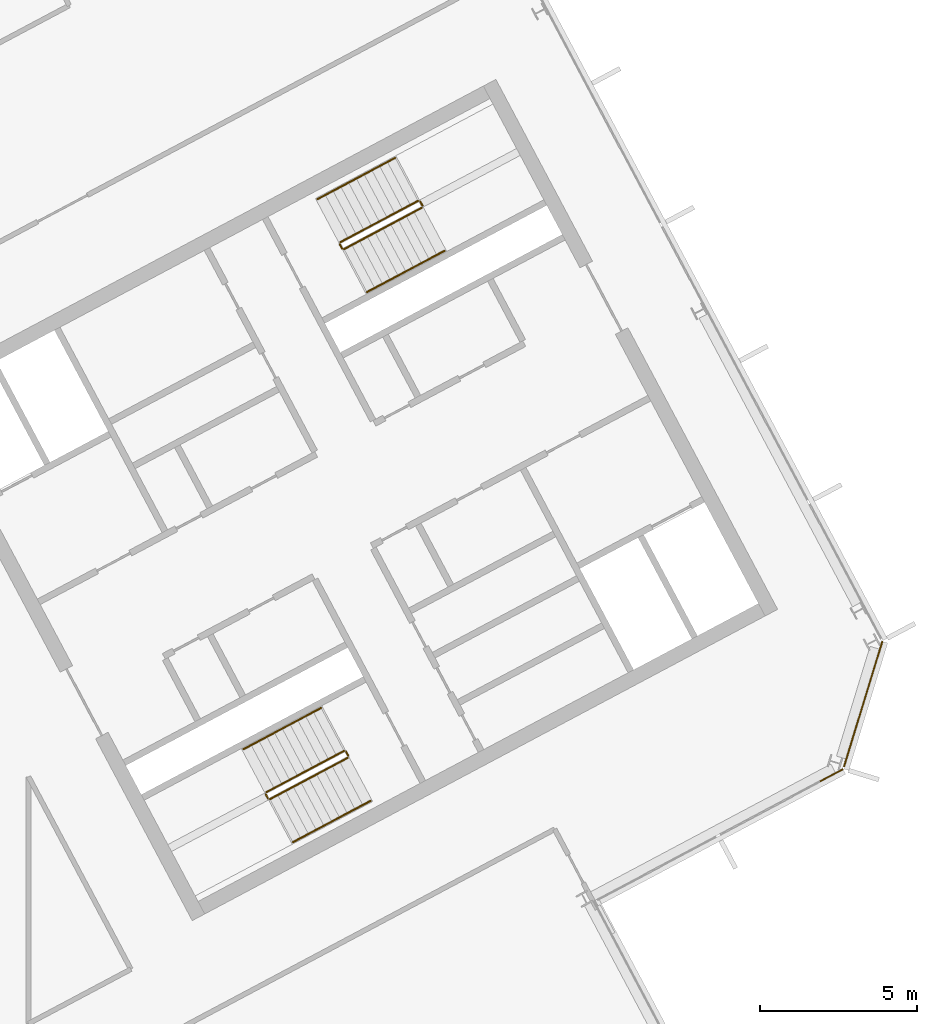
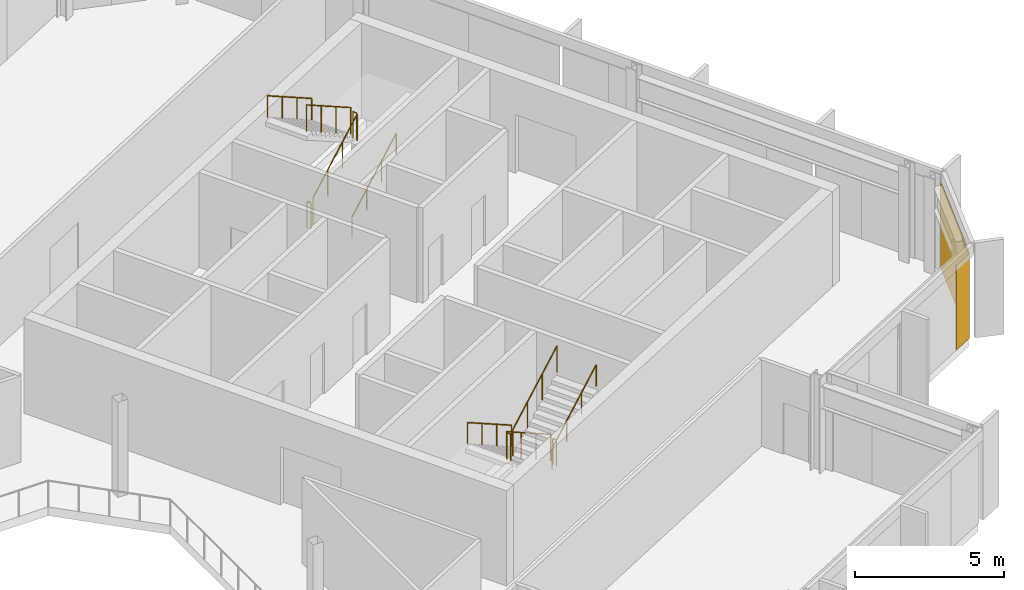
# One storey, part 25 of 26: 12 railings, 2 coverings, 2 elements without a shape of their own.
"""IFC4 building model written with IfcOpenShell, lengths in metres."""

from ifc_helpers import new_model, si_unit, direction, frame, origin, origin_2d, place, context, subcontext, project, spatial, polyline, rectangle, outline, extrude, material, layer, layer_set, type_object, element, aggregate, save


model = new_model("IFC4")

# Units and contexts
model_context = context("Model", 3, precision=1e-05, world=origin(), true_north=direction((0.0, 1.0)))
body_context = subcontext(model_context, "Body", "Model", "MODEL_VIEW")
ifc_project = project(units=[si_unit("LENGTHUNIT", "METRE"), si_unit("AREAUNIT", "SQUARE_METRE"), si_unit("VOLUMEUNIT", "CUBIC_METRE"), si_unit("PLANEANGLEUNIT", "RADIAN"), si_unit("MASSUNIT", "GRAM", prefix="KILO")], contexts=[model_context])

# Site, building, storey
site_placement = place(None, origin())
site = spatial("IfcSite", under=ifc_project, at=site_placement, CompositionType="ELEMENT")
building_placement = place(site_placement, origin())
building = spatial("IfcBuilding", under=site, at=building_placement, Name="Cormorant Relay Tower", CompositionType="ELEMENT")
storey_placement = place(building_placement, frame((0.0, 0.0, 304.800048828125)))
storey = spatial("IfcBuildingStorey", under=building, at=storey_placement, Name="L69", CompositionType="ELEMENT", Elevation=304.800048828125)

# Curtain wall, covering
ifc_material_1 = material(Name="Aluminium 6063-T6 anodised bronze", Category="aluminium")
ifc_layer_1 = layer(ifc_material_1, 0.199951171875)
ifc_layer_set_1 = layer_set([ifc_layer_1], Name="CW1 unitised bronze curtain wall with vertical fins")
curtain_wall_type = type_object("IfcCurtainWallType", Name="CW1 unitised bronze curtain wall with vertical fins", PredefinedType="NOTDEFINED", material=ifc_layer_set_1)
curtain_wall_1_placement = place(storey_placement, origin())
curtain_wall_1 = element("IfcCurtainWall", 1, at=curtain_wall_1_placement, inside=storey, type_object=curtain_wall_type, Name="CW1 curtain wall 4", PredefinedType="NOTDEFINED")
ifc_material_2 = material(Name="Pale bronze anodised aluminium insulated panel", Category="aluminium")
ifc_layer_2 = layer(ifc_material_2, 0.0400390625)
ifc_layer_set_2 = layer_set([ifc_layer_2], Name="CW1 pale bronze insulated panel 40")
covering_type = type_object("IfcCoveringType", Name="CW1 pale bronze insulated panel 40", PredefinedType="CLADDING", material=ifc_layer_set_2)
covering_1_placement = place(storey_placement, frame((39.356201171875, 3.914794921875, 0.0), z_axis=(0.0, 0.0, 1.0), x_axis=(0.882947592859, 0.469471562786, 0.0)))
covering_1 = element("IfcCovering", 2, at=covering_1_placement, type_object=covering_type, Name="CW1 panel S03", PredefinedType="CLADDING", context=body_context, shape_type="SweptSolid", body=[
    extrude(rectangle(XDim=0.824951171875, YDim=0.0400390625, at=origin_2d()), origin(), (0.0, 0.0, 1.0), 3.449951171875),
])
aggregate(curtain_wall_1, [covering_1])

curtain_wall_2_placement = place(storey_placement, origin())
curtain_wall_2 = element("IfcCurtainWall", 3, at=curtain_wall_2_placement, inside=storey, type_object=curtain_wall_type, Name="CW1 curtain wall 5", PredefinedType="NOTDEFINED")
covering_2_placement = place(storey_placement, frame((40.361328125, 6.184814453125, 0.0), z_axis=(0.0, 0.0, 1.0), x_axis=(0.292371704723, 0.956304755963, 0.0)))
covering_2 = element("IfcCovering", 4, at=covering_2_placement, type_object=covering_type, Name="CW1 panel S00", PredefinedType="CLADDING", context=body_context, shape_type="SweptSolid", body=[
    extrude(rectangle(XDim=4.16748046875, YDim=0.0400390625, at=origin_2d()), origin(), (0.0, 0.0, 1.0), 3.449951171875),
])
aggregate(curtain_wall_2, [covering_2])

# Railings
ifc_material_3 = material(Name="Steel ASTM A572 Grade 50 (Fy 345 MPa)", Category="steel")
railing_type_1 = type_object("IfcRailingType", Name="Stair guard 1100", PredefinedType="GUARDRAIL", material=ifc_material_3)
railing_1_placement = place(storey_placement, frame((23.83837890625, 4.6904296875, 0.17724609375)))
element("IfcRailing", 5, at=railing_1_placement, inside=storey, type_object=railing_type_1, Name="L69 B1 stair guard 1", PredefinedType="GUARDRAIL", context=body_context, shape_type="SweptSolid", body=[
    extrude(outline(polyline([(0.022216796875, 0.00927734375), (0.00927734375, 0.022216796875), (-0.00927734375, 0.022216796875), (-0.022216796875, 0.00927734375), (-0.022216796875, -0.00927734375), (-0.00927734375, -0.022216796875), (0.00927734375, -0.022216796875), (0.022216796875, -0.00927734375), (0.022216796875, 0.00927734375)])), frame((0.0, 0.0, 1.076171875), z_axis=(-0.746033882577, -0.396627473466, 0.534901947407), x_axis=(0.469429322983, -0.882970050864, 0.0)), (0.0, 0.0, 1.0), 3.31396484375),
    extrude(outline(polyline([(0.019287109375, 0.008056640625), (0.008056640625, 0.019287109375), (-0.008056640625, 0.019287109375), (-0.019287109375, 0.008056640625), (-0.019287109375, -0.008056640625), (-0.008056640625, -0.019287109375), (0.008056640625, -0.019287109375), (0.019287109375, -0.008056640625), (0.019287109375, 0.008056640625)])), origin(), (0.0, 0.0, 1.0), 1.052001953125),
    extrude(outline(polyline([(0.019287109375, 0.008056640625), (0.008056640625, 0.019287109375), (-0.008056640625, 0.019287109375), (-0.019287109375, 0.008056640625), (-0.019287109375, -0.008056640625), (-0.008056640625, -0.019287109375), (0.008056640625, -0.019287109375), (0.019287109375, -0.008056640625), (0.019287109375, 0.008056640625)])), frame((-0.82421875, -0.438232421875, 0.5908203125)), (0.0, 0.0, 1.0), 1.052001953125),
    extrude(outline(polyline([(0.019287109375, 0.008056640625), (0.008056640625, 0.019287109375), (-0.008056640625, 0.019287109375), (-0.019287109375, 0.008056640625), (-0.019287109375, -0.008056640625), (-0.008056640625, -0.019287109375), (0.008056640625, -0.019287109375), (0.019287109375, -0.008056640625), (0.019287109375, 0.008056640625)])), frame((-1.648193359375, -0.876220703125, 1.181884765625)), (0.0, 0.0, 1.0), 1.052001953125),
    extrude(outline(polyline([(0.019287109375, 0.008056640625), (0.008056640625, 0.019287109375), (-0.008056640625, 0.019287109375), (-0.019287109375, 0.008056640625), (-0.019287109375, -0.008056640625), (-0.008056640625, -0.019287109375), (0.008056640625, -0.019287109375), (0.019287109375, -0.008056640625), (0.019287109375, 0.008056640625)])), frame((-2.472412109375, -1.314453125, 1.772705078125)), (0.0, 0.0, 1.0), 1.052001953125),
])
railing_2_placement = place(storey_placement, frame((21.345458984375, 3.308349609375, 1.949951171875)))
element("IfcRailing", 6, at=railing_2_placement, inside=storey, type_object=railing_type_1, Name="L69 B1 stair guard 2", PredefinedType="GUARDRAIL", context=body_context, shape_type="SweptSolid", body=[
    extrude(outline(polyline([(0.022216796875, 0.00927734375), (0.00927734375, 0.022216796875), (-0.00927734375, 0.022216796875), (-0.022216796875, 0.00927734375), (-0.022216796875, -0.00927734375), (-0.00927734375, -0.022216796875), (0.00927734375, -0.022216796875), (0.022216796875, -0.00927734375), (0.022216796875, 0.00927734375)])), frame((0.0, 0.0, 1.076171875), z_axis=(0.46856034887, -0.8834314911, 0.0), x_axis=(0.8834314911, 0.46856034887, 0.0)), (0.0, 0.0, 1.0), 0.150146484375),
    extrude(outline(polyline([(0.019287109375, 0.008056640625), (0.008056640625, 0.019287109375), (-0.008056640625, 0.019287109375), (-0.019287109375, 0.008056640625), (-0.019287109375, -0.008056640625), (-0.008056640625, -0.019287109375), (0.008056640625, -0.019287109375), (0.019287109375, -0.008056640625), (0.019287109375, 0.008056640625)])), origin(), (0.0, 0.0, 1.0), 1.052001953125),
    extrude(outline(polyline([(0.019287109375, 0.008056640625), (0.008056640625, 0.019287109375), (-0.008056640625, 0.019287109375), (-0.019287109375, 0.008056640625), (-0.019287109375, -0.008056640625), (-0.008056640625, -0.019287109375), (0.008056640625, -0.019287109375), (0.019287109375, -0.008056640625), (0.019287109375, 0.008056640625)])), frame((0.0703125, -0.132568359375, 0.0)), (0.0, 0.0, 1.0), 1.052001953125),
])
railing_3_placement = place(storey_placement, frame((21.4833984375, 3.1552734375, 2.127197265625)))
element("IfcRailing", 7, at=railing_3_placement, inside=storey, type_object=railing_type_1, Name="L69 B1 stair guard 3", PredefinedType="GUARDRAIL", context=body_context, shape_type="SweptSolid", body=[
    extrude(outline(polyline([(0.022216796875, 0.00927734375), (0.00927734375, 0.022216796875), (-0.00927734375, 0.022216796875), (-0.022216796875, 0.00927734375), (-0.022216796875, -0.00927734375), (-0.00927734375, -0.022216796875), (0.00927734375, -0.022216796875), (0.022216796875, -0.00927734375), (0.022216796875, 0.00927734375)])), frame((0.0, 0.0, 1.076171875), z_axis=(0.746001213114, 0.396649272309, 0.534931345884), x_axis=(-0.469465464807, 0.882950835185, 0.0)), (0.0, 0.0, 1.0), 3.31396484375),
    extrude(outline(polyline([(0.019287109375, 0.008056640625), (0.008056640625, 0.019287109375), (-0.008056640625, 0.019287109375), (-0.019287109375, 0.008056640625), (-0.019287109375, -0.008056640625), (-0.008056640625, -0.019287109375), (0.008056640625, -0.019287109375), (0.019287109375, -0.008056640625), (0.019287109375, 0.008056640625)])), origin(), (0.0, 0.0, 1.0), 1.052001953125),
    extrude(outline(polyline([(0.019287109375, 0.008056640625), (0.008056640625, 0.019287109375), (-0.008056640625, 0.019287109375), (-0.019287109375, 0.008056640625), (-0.019287109375, -0.008056640625), (-0.008056640625, -0.019287109375), (0.008056640625, -0.019287109375), (0.019287109375, -0.008056640625), (0.019287109375, 0.008056640625)])), frame((0.823974609375, 0.438232421875, 0.5908203125)), (0.0, 0.0, 1.0), 1.052001953125),
    extrude(outline(polyline([(0.019287109375, 0.008056640625), (0.008056640625, 0.019287109375), (-0.008056640625, 0.019287109375), (-0.019287109375, 0.008056640625), (-0.019287109375, -0.008056640625), (-0.008056640625, -0.019287109375), (0.008056640625, -0.019287109375), (0.019287109375, -0.008056640625), (0.019287109375, 0.008056640625)])), frame((1.648193359375, 0.876220703125, 1.181884765625)), (0.0, 0.0, 1.0), 1.052001953125),
    extrude(outline(polyline([(0.019287109375, 0.008056640625), (0.008056640625, 0.019287109375), (-0.008056640625, 0.019287109375), (-0.019287109375, 0.008056640625), (-0.019287109375, -0.008056640625), (-0.008056640625, -0.019287109375), (0.008056640625, -0.019287109375), (0.019287109375, -0.008056640625), (0.019287109375, 0.008056640625)])), frame((2.47216796875, 1.314453125, 1.772705078125)), (0.0, 0.0, 1.0), 1.052001953125),
])
railing_4_placement = place(storey_placement, frame((23.906005859375, 4.669677734375, 0.0)))
element("IfcRailing", 8, at=railing_4_placement, inside=storey, type_object=railing_type_1, Name="L69 B1 stair guard 4", PredefinedType="GUARDRAIL", context=body_context, shape_type="SweptSolid", body=[
    extrude(outline(polyline([(0.022216796875, 0.00927734375), (0.00927734375, 0.022216796875), (-0.00927734375, 0.022216796875), (-0.022216796875, 0.00927734375), (-0.022216796875, -0.00927734375), (-0.00927734375, -0.022216796875), (0.00927734375, -0.022216796875), (0.022216796875, -0.00927734375), (0.022216796875, 0.00927734375)])), frame((0.0, 0.0, 1.076171875), z_axis=(0.469234640946, -0.883073525669, 0.0), x_axis=(0.883073525669, 0.469234640946, 0.0)), (0.0, 0.0, 1.0), 0.14990234375),
    extrude(outline(polyline([(0.019287109375, 0.008056640625), (0.008056640625, 0.019287109375), (-0.008056640625, 0.019287109375), (-0.019287109375, 0.008056640625), (-0.019287109375, -0.008056640625), (-0.008056640625, -0.019287109375), (0.008056640625, -0.019287109375), (0.019287109375, -0.008056640625), (0.019287109375, 0.008056640625)])), origin(), (0.0, 0.0, 1.0), 1.052001953125),
    extrude(outline(polyline([(0.019287109375, 0.008056640625), (0.008056640625, 0.019287109375), (-0.008056640625, 0.019287109375), (-0.019287109375, 0.008056640625), (-0.019287109375, -0.008056640625), (-0.008056640625, -0.019287109375), (0.008056640625, -0.019287109375), (0.019287109375, -0.008056640625), (0.019287109375, 0.008056640625)])), frame((0.0703125, -0.13232421875, 0.0)), (0.0, 0.0, 1.0), 1.052001953125),
])
railing_5_placement = place(storey_placement, frame((23.8408203125, 20.6611328125, 0.17724609375)))
element("IfcRailing", 9, at=railing_5_placement, inside=storey, type_object=railing_type_1, Name="L69 B2 stair guard 1", PredefinedType="GUARDRAIL", context=body_context, shape_type="SweptSolid", body=[
    extrude(outline(polyline([(0.022216796875, 0.00927734375), (0.00927734375, 0.022216796875), (-0.00927734375, 0.022216796875), (-0.022216796875, 0.00927734375), (-0.022216796875, -0.00927734375), (-0.00927734375, -0.022216796875), (0.00927734375, -0.022216796875), (0.022216796875, -0.00927734375), (0.022216796875, 0.00927734375)])), frame((0.0, 0.0, 1.076171875), z_axis=(0.746033882577, 0.396627473466, 0.534901947407), x_axis=(-0.469429322983, 0.882970050864, 0.0)), (0.0, 0.0, 1.0), 3.31396484375),
    extrude(outline(polyline([(0.019287109375, 0.008056640625), (0.008056640625, 0.019287109375), (-0.008056640625, 0.019287109375), (-0.019287109375, 0.008056640625), (-0.019287109375, -0.008056640625), (-0.008056640625, -0.019287109375), (0.008056640625, -0.019287109375), (0.019287109375, -0.008056640625), (0.019287109375, 0.008056640625)])), origin(), (0.0, 0.0, 1.0), 1.052001953125),
    extrude(outline(polyline([(0.019287109375, 0.008056640625), (0.008056640625, 0.019287109375), (-0.008056640625, 0.019287109375), (-0.019287109375, 0.008056640625), (-0.019287109375, -0.008056640625), (-0.008056640625, -0.019287109375), (0.008056640625, -0.019287109375), (0.019287109375, -0.008056640625), (0.019287109375, 0.008056640625)])), frame((0.82421875, 0.438232421875, 0.5908203125)), (0.0, 0.0, 1.0), 1.052001953125),
    extrude(outline(polyline([(0.019287109375, 0.008056640625), (0.008056640625, 0.019287109375), (-0.008056640625, 0.019287109375), (-0.019287109375, 0.008056640625), (-0.019287109375, -0.008056640625), (-0.008056640625, -0.019287109375), (0.008056640625, -0.019287109375), (0.019287109375, -0.008056640625), (0.019287109375, 0.008056640625)])), frame((1.648193359375, 0.876220703125, 1.181884765625)), (0.0, 0.0, 1.0), 1.052001953125),
    extrude(outline(polyline([(0.019287109375, 0.008056640625), (0.008056640625, 0.019287109375), (-0.008056640625, 0.019287109375), (-0.019287109375, 0.008056640625), (-0.019287109375, -0.008056640625), (-0.008056640625, -0.019287109375), (0.008056640625, -0.019287109375), (0.019287109375, -0.008056640625), (0.019287109375, 0.008056640625)])), frame((2.472412109375, 1.314453125, 1.772705078125)), (0.0, 0.0, 1.0), 1.052001953125),
])
railing_6_placement = place(storey_placement, frame((26.333740234375, 22.043212890625, 1.949951171875)))
element("IfcRailing", 10, at=railing_6_placement, inside=storey, type_object=railing_type_1, Name="L69 B2 stair guard 2", PredefinedType="GUARDRAIL", context=body_context, shape_type="SweptSolid", body=[
    extrude(outline(polyline([(0.022216796875, 0.00927734375), (0.00927734375, 0.022216796875), (-0.00927734375, 0.022216796875), (-0.022216796875, 0.00927734375), (-0.022216796875, -0.00927734375), (-0.00927734375, -0.022216796875), (0.00927734375, -0.022216796875), (0.022216796875, -0.00927734375), (0.022216796875, 0.00927734375)])), frame((0.0, 0.0, 1.076171875), z_axis=(-0.469234640946, 0.883073525669, 0.0), x_axis=(-0.883073525669, -0.469234640946, 0.0)), (0.0, 0.0, 1.0), 0.14990234375),
    extrude(outline(polyline([(0.019287109375, 0.008056640625), (0.008056640625, 0.019287109375), (-0.008056640625, 0.019287109375), (-0.019287109375, 0.008056640625), (-0.019287109375, -0.008056640625), (-0.008056640625, -0.019287109375), (0.008056640625, -0.019287109375), (0.019287109375, -0.008056640625), (0.019287109375, 0.008056640625)])), origin(), (0.0, 0.0, 1.0), 1.052001953125),
    extrude(outline(polyline([(0.019287109375, 0.008056640625), (0.008056640625, 0.019287109375), (-0.008056640625, 0.019287109375), (-0.019287109375, 0.008056640625), (-0.019287109375, -0.008056640625), (-0.008056640625, -0.019287109375), (0.008056640625, -0.019287109375), (0.019287109375, -0.008056640625), (0.019287109375, 0.008056640625)])), frame((-0.0703125, 0.13232421875, 0.0)), (0.0, 0.0, 1.0), 1.052001953125),
])
railing_7_placement = place(storey_placement, frame((26.19580078125, 22.1962890625, 2.127197265625)))
element("IfcRailing", 11, at=railing_7_placement, inside=storey, type_object=railing_type_1, Name="L69 B2 stair guard 3", PredefinedType="GUARDRAIL", context=body_context, shape_type="SweptSolid", body=[
    extrude(outline(polyline([(0.022216796875, 0.00927734375), (0.00927734375, 0.022216796875), (-0.00927734375, 0.022216796875), (-0.022216796875, 0.00927734375), (-0.022216796875, -0.00927734375), (-0.00927734375, -0.022216796875), (0.00927734375, -0.022216796875), (0.022216796875, -0.00927734375), (0.022216796875, 0.00927734375)])), frame((0.0, 0.0, 1.076171875), z_axis=(-0.746033882577, -0.396627473466, 0.534901947407), x_axis=(0.469429322983, -0.882970050864, 0.0)), (0.0, 0.0, 1.0), 3.31396484375),
    extrude(outline(polyline([(0.019287109375, 0.008056640625), (0.008056640625, 0.019287109375), (-0.008056640625, 0.019287109375), (-0.019287109375, 0.008056640625), (-0.019287109375, -0.008056640625), (-0.008056640625, -0.019287109375), (0.008056640625, -0.019287109375), (0.019287109375, -0.008056640625), (0.019287109375, 0.008056640625)])), origin(), (0.0, 0.0, 1.0), 1.052001953125),
    extrude(outline(polyline([(0.019287109375, 0.008056640625), (0.008056640625, 0.019287109375), (-0.008056640625, 0.019287109375), (-0.019287109375, 0.008056640625), (-0.019287109375, -0.008056640625), (-0.008056640625, -0.019287109375), (0.008056640625, -0.019287109375), (0.019287109375, -0.008056640625), (0.019287109375, 0.008056640625)])), frame((-0.82421875, -0.438232421875, 0.5908203125)), (0.0, 0.0, 1.0), 1.052001953125),
    extrude(outline(polyline([(0.019287109375, 0.008056640625), (0.008056640625, 0.019287109375), (-0.008056640625, 0.019287109375), (-0.019287109375, 0.008056640625), (-0.019287109375, -0.008056640625), (-0.008056640625, -0.019287109375), (0.008056640625, -0.019287109375), (0.019287109375, -0.008056640625), (0.019287109375, 0.008056640625)])), frame((-1.648193359375, -0.876220703125, 1.181884765625)), (0.0, 0.0, 1.0), 1.052001953125),
    extrude(outline(polyline([(0.019287109375, 0.008056640625), (0.008056640625, 0.019287109375), (-0.008056640625, 0.019287109375), (-0.019287109375, 0.008056640625), (-0.019287109375, -0.008056640625), (-0.008056640625, -0.019287109375), (0.008056640625, -0.019287109375), (0.019287109375, -0.008056640625), (0.019287109375, 0.008056640625)])), frame((-2.472412109375, -1.314453125, 1.772705078125)), (0.0, 0.0, 1.0), 1.052001953125),
])
railing_8_placement = place(storey_placement, frame((23.773193359375, 20.681640625, 0.0)))
element("IfcRailing", 12, at=railing_8_placement, inside=storey, type_object=railing_type_1, Name="L69 B2 stair guard 4", PredefinedType="GUARDRAIL", context=body_context, shape_type="SweptSolid", body=[
    extrude(outline(polyline([(0.022216796875, 0.00927734375), (0.00927734375, 0.022216796875), (-0.00927734375, 0.022216796875), (-0.022216796875, 0.00927734375), (-0.022216796875, -0.00927734375), (-0.00927734375, -0.022216796875), (0.00927734375, -0.022216796875), (0.022216796875, -0.00927734375), (0.022216796875, 0.00927734375)])), frame((0.0, 0.0, 1.076171875), z_axis=(-0.46856034887, 0.8834314911, 0.0), x_axis=(-0.8834314911, -0.46856034887, 0.0)), (0.0, 0.0, 1.0), 0.150146484375),
    extrude(outline(polyline([(0.019287109375, 0.008056640625), (0.008056640625, 0.019287109375), (-0.008056640625, 0.019287109375), (-0.019287109375, 0.008056640625), (-0.019287109375, -0.008056640625), (-0.008056640625, -0.019287109375), (0.008056640625, -0.019287109375), (0.019287109375, -0.008056640625), (0.019287109375, 0.008056640625)])), origin(), (0.0, 0.0, 1.0), 1.052001953125),
    extrude(outline(polyline([(0.019287109375, 0.008056640625), (0.008056640625, 0.019287109375), (-0.008056640625, 0.019287109375), (-0.019287109375, 0.008056640625), (-0.019287109375, -0.008056640625), (-0.008056640625, -0.019287109375), (0.008056640625, -0.019287109375), (0.019287109375, -0.008056640625), (0.019287109375, 0.008056640625)])), frame((-0.0703125, 0.132568359375, 0.0)), (0.0, 0.0, 1.0), 1.052001953125),
])
ifc_material_4 = material(Name="Steel ASTM A572 Grade 50 (Fy 345 MPa)", Category="steel")
railing_type_2 = type_object("IfcRailingType", Name="Stair handrail 900", PredefinedType="HANDRAIL", material=ifc_material_4)
railing_9_placement = place(storey_placement, frame((23.110595703125, 6.05908203125, 0.17724609375)))
element("IfcRailing", 13, at=railing_9_placement, inside=storey, type_object=railing_type_2, Name="L69 B1 stair handrail 1", PredefinedType="HANDRAIL", context=body_context, shape_type="SweptSolid", body=[
    extrude(outline(polyline([(0.022216796875, 0.00927734375), (0.00927734375, 0.022216796875), (-0.00927734375, 0.022216796875), (-0.022216796875, 0.00927734375), (-0.022216796875, -0.00927734375), (-0.00927734375, -0.022216796875), (0.00927734375, -0.022216796875), (0.022216796875, -0.00927734375), (0.022216796875, 0.00927734375)])), frame((0.0, 0.0, 0.8759765625), z_axis=(-0.745979412481, -0.396711350603, 0.534915713414), x_axis=(0.469533439143, -0.882914689835, 0.0)), (0.0, 0.0, 1.0), 3.31396484375),
    extrude(outline(polyline([(0.019287109375, 0.008056640625), (0.008056640625, 0.019287109375), (-0.008056640625, 0.019287109375), (-0.019287109375, 0.008056640625), (-0.019287109375, -0.008056640625), (-0.008056640625, -0.019287109375), (0.008056640625, -0.019287109375), (0.019287109375, -0.008056640625), (0.019287109375, 0.008056640625)])), origin(), (0.0, 0.0, 1.0), 0.851806640625),
    extrude(outline(polyline([(0.019287109375, 0.008056640625), (0.008056640625, 0.019287109375), (-0.008056640625, 0.019287109375), (-0.019287109375, 0.008056640625), (-0.019287109375, -0.008056640625), (-0.008056640625, -0.019287109375), (0.008056640625, -0.019287109375), (0.019287109375, -0.008056640625), (0.019287109375, 0.008056640625)])), frame((-0.823974609375, -0.438232421875, 0.5908203125)), (0.0, 0.0, 1.0), 0.851806640625),
    extrude(outline(polyline([(0.019287109375, 0.008056640625), (0.008056640625, 0.019287109375), (-0.008056640625, 0.019287109375), (-0.019287109375, 0.008056640625), (-0.019287109375, -0.008056640625), (-0.008056640625, -0.019287109375), (0.008056640625, -0.019287109375), (0.019287109375, -0.008056640625), (0.019287109375, 0.008056640625)])), frame((-1.648193359375, -0.87646484375, 1.181884765625)), (0.0, 0.0, 1.0), 0.851806640625),
    extrude(outline(polyline([(0.019287109375, 0.008056640625), (0.008056640625, 0.019287109375), (-0.008056640625, 0.019287109375), (-0.019287109375, 0.008056640625), (-0.019287109375, -0.008056640625), (-0.008056640625, -0.019287109375), (0.008056640625, -0.019287109375), (0.019287109375, -0.008056640625), (0.019287109375, 0.008056640625)])), frame((-2.47216796875, -1.314697265625, 1.772705078125)), (0.0, 0.0, 1.0), 0.851806640625),
])
railing_10_placement = place(storey_placement, frame((22.211181640625, 1.78662109375, 2.127197265625)))
element("IfcRailing", 14, at=railing_10_placement, inside=storey, type_object=railing_type_2, Name="L69 B1 stair handrail 2", PredefinedType="HANDRAIL", context=body_context, shape_type="SweptSolid", body=[
    extrude(outline(polyline([(0.022216796875, 0.00927734375), (0.00927734375, 0.022216796875), (-0.00927734375, 0.022216796875), (-0.022216796875, 0.00927734375), (-0.022216796875, -0.00927734375), (-0.00927734375, -0.022216796875), (0.00927734375, -0.022216796875), (0.022216796875, -0.00927734375), (0.022216796875, 0.00927734375)])), frame((0.0, 0.0, 0.8759765625), z_axis=(0.746001213114, 0.396649272309, 0.534931345884), x_axis=(-0.469465464807, 0.882950835185, 0.0)), (0.0, 0.0, 1.0), 3.31396484375),
    extrude(outline(polyline([(0.019287109375, 0.008056640625), (0.008056640625, 0.019287109375), (-0.008056640625, 0.019287109375), (-0.019287109375, 0.008056640625), (-0.019287109375, -0.008056640625), (-0.008056640625, -0.019287109375), (0.008056640625, -0.019287109375), (0.019287109375, -0.008056640625), (0.019287109375, 0.008056640625)])), origin(), (0.0, 0.0, 1.0), 0.851806640625),
    extrude(outline(polyline([(0.019287109375, 0.008056640625), (0.008056640625, 0.019287109375), (-0.008056640625, 0.019287109375), (-0.019287109375, 0.008056640625), (-0.019287109375, -0.008056640625), (-0.008056640625, -0.019287109375), (0.008056640625, -0.019287109375), (0.019287109375, -0.008056640625), (0.019287109375, 0.008056640625)])), frame((0.823974609375, 0.438232421875, 0.5908203125)), (0.0, 0.0, 1.0), 0.851806640625),
    extrude(outline(polyline([(0.019287109375, 0.008056640625), (0.008056640625, 0.019287109375), (-0.008056640625, 0.019287109375), (-0.019287109375, 0.008056640625), (-0.019287109375, -0.008056640625), (-0.008056640625, -0.019287109375), (0.008056640625, -0.019287109375), (0.019287109375, -0.008056640625), (0.019287109375, 0.008056640625)])), frame((1.648193359375, 0.876220703125, 1.181884765625)), (0.0, 0.0, 1.0), 0.851806640625),
    extrude(outline(polyline([(0.019287109375, 0.008056640625), (0.008056640625, 0.019287109375), (-0.008056640625, 0.019287109375), (-0.019287109375, 0.008056640625), (-0.019287109375, -0.008056640625), (-0.008056640625, -0.019287109375), (0.008056640625, -0.019287109375), (0.019287109375, -0.008056640625), (0.019287109375, 0.008056640625)])), frame((2.47216796875, 1.314453125, 1.772705078125)), (0.0, 0.0, 1.0), 0.851806640625),
])
railing_11_placement = place(storey_placement, frame((24.568603515625, 19.29248046875, 0.17724609375)))
element("IfcRailing", 15, at=railing_11_placement, inside=storey, type_object=railing_type_2, Name="L69 B2 stair handrail 1", PredefinedType="HANDRAIL", context=body_context, shape_type="SweptSolid", body=[
    extrude(outline(polyline([(0.022216796875, 0.00927734375), (0.00927734375, 0.022216796875), (-0.00927734375, 0.022216796875), (-0.022216796875, 0.00927734375), (-0.022216796875, -0.00927734375), (-0.00927734375, -0.022216796875), (0.00927734375, -0.022216796875), (0.022216796875, -0.00927734375), (0.022216796875, 0.00927734375)])), frame((0.0, 0.0, 0.8759765625), z_axis=(0.746001213114, 0.396649272309, 0.534931345884), x_axis=(-0.469465464807, 0.882950835185, 0.0)), (0.0, 0.0, 1.0), 3.31396484375),
    extrude(outline(polyline([(0.019287109375, 0.008056640625), (0.008056640625, 0.019287109375), (-0.008056640625, 0.019287109375), (-0.019287109375, 0.008056640625), (-0.019287109375, -0.008056640625), (-0.008056640625, -0.019287109375), (0.008056640625, -0.019287109375), (0.019287109375, -0.008056640625), (0.019287109375, 0.008056640625)])), origin(), (0.0, 0.0, 1.0), 0.851806640625),
    extrude(outline(polyline([(0.019287109375, 0.008056640625), (0.008056640625, 0.019287109375), (-0.008056640625, 0.019287109375), (-0.019287109375, 0.008056640625), (-0.019287109375, -0.008056640625), (-0.008056640625, -0.019287109375), (0.008056640625, -0.019287109375), (0.019287109375, -0.008056640625), (0.019287109375, 0.008056640625)])), frame((0.823974609375, 0.438232421875, 0.5908203125)), (0.0, 0.0, 1.0), 0.851806640625),
    extrude(outline(polyline([(0.019287109375, 0.008056640625), (0.008056640625, 0.019287109375), (-0.008056640625, 0.019287109375), (-0.019287109375, 0.008056640625), (-0.019287109375, -0.008056640625), (-0.008056640625, -0.019287109375), (0.008056640625, -0.019287109375), (0.019287109375, -0.008056640625), (0.019287109375, 0.008056640625)])), frame((1.648193359375, 0.876220703125, 1.181884765625)), (0.0, 0.0, 1.0), 0.851806640625),
    extrude(outline(polyline([(0.019287109375, 0.008056640625), (0.008056640625, 0.019287109375), (-0.008056640625, 0.019287109375), (-0.019287109375, 0.008056640625), (-0.019287109375, -0.008056640625), (-0.008056640625, -0.019287109375), (0.008056640625, -0.019287109375), (0.019287109375, -0.008056640625), (0.019287109375, 0.008056640625)])), frame((2.47216796875, 1.314453125, 1.772705078125)), (0.0, 0.0, 1.0), 0.851806640625),
])
railing_12_placement = place(storey_placement, frame((25.468017578125, 23.56494140625, 2.127197265625)))
element("IfcRailing", 16, at=railing_12_placement, inside=storey, type_object=railing_type_2, Name="L69 B2 stair handrail 2", PredefinedType="HANDRAIL", context=body_context, shape_type="SweptSolid", body=[
    extrude(outline(polyline([(0.022216796875, 0.00927734375), (0.00927734375, 0.022216796875), (-0.00927734375, 0.022216796875), (-0.022216796875, 0.00927734375), (-0.022216796875, -0.00927734375), (-0.00927734375, -0.022216796875), (0.00927734375, -0.022216796875), (0.022216796875, -0.00927734375), (0.022216796875, 0.00927734375)])), frame((0.0, 0.0, 0.8759765625), z_axis=(-0.745979412481, -0.396711350603, 0.534915713414), x_axis=(0.469533439143, -0.882914689835, 0.0)), (0.0, 0.0, 1.0), 3.31396484375),
    extrude(outline(polyline([(0.019287109375, 0.008056640625), (0.008056640625, 0.019287109375), (-0.008056640625, 0.019287109375), (-0.019287109375, 0.008056640625), (-0.019287109375, -0.008056640625), (-0.008056640625, -0.019287109375), (0.008056640625, -0.019287109375), (0.019287109375, -0.008056640625), (0.019287109375, 0.008056640625)])), origin(), (0.0, 0.0, 1.0), 0.851806640625),
    extrude(outline(polyline([(0.019287109375, 0.008056640625), (0.008056640625, 0.019287109375), (-0.008056640625, 0.019287109375), (-0.019287109375, 0.008056640625), (-0.019287109375, -0.008056640625), (-0.008056640625, -0.019287109375), (0.008056640625, -0.019287109375), (0.019287109375, -0.008056640625), (0.019287109375, 0.008056640625)])), frame((-0.823974609375, -0.438232421875, 0.5908203125)), (0.0, 0.0, 1.0), 0.851806640625),
    extrude(outline(polyline([(0.019287109375, 0.008056640625), (0.008056640625, 0.019287109375), (-0.008056640625, 0.019287109375), (-0.019287109375, 0.008056640625), (-0.019287109375, -0.008056640625), (-0.008056640625, -0.019287109375), (0.008056640625, -0.019287109375), (0.019287109375, -0.008056640625), (0.019287109375, 0.008056640625)])), frame((-1.648193359375, -0.87646484375, 1.181884765625)), (0.0, 0.0, 1.0), 0.851806640625),
    extrude(outline(polyline([(0.019287109375, 0.008056640625), (0.008056640625, 0.019287109375), (-0.008056640625, 0.019287109375), (-0.019287109375, 0.008056640625), (-0.019287109375, -0.008056640625), (-0.008056640625, -0.019287109375), (0.008056640625, -0.019287109375), (0.019287109375, -0.008056640625), (0.019287109375, 0.008056640625)])), frame((-2.47216796875, -1.314697265625, 1.772705078125)), (0.0, 0.0, 1.0), 0.851806640625),
])

save(model, "model.ifc")
